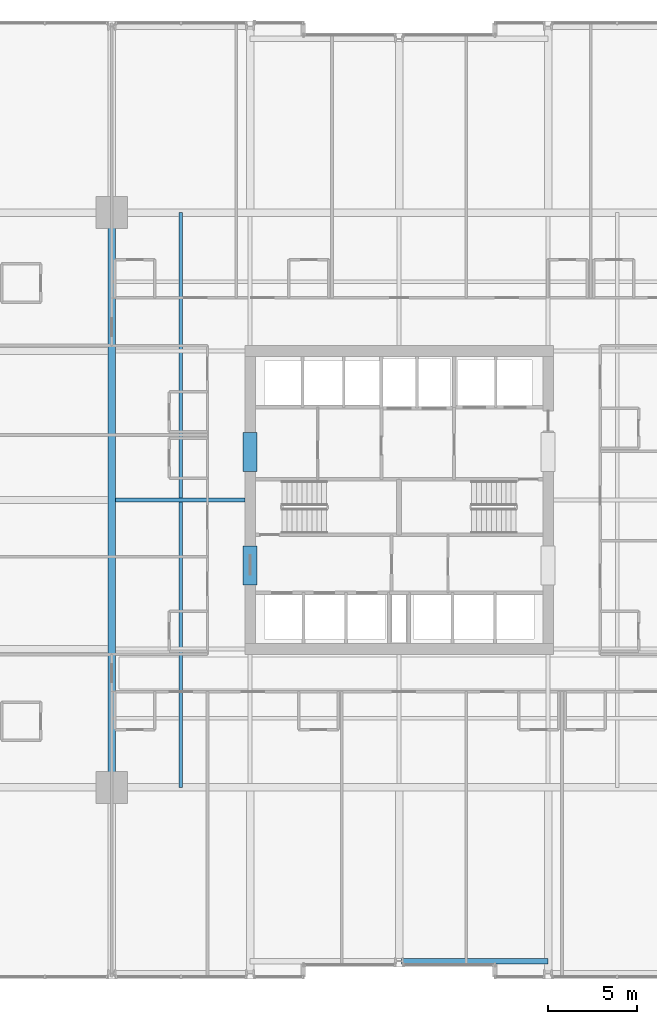
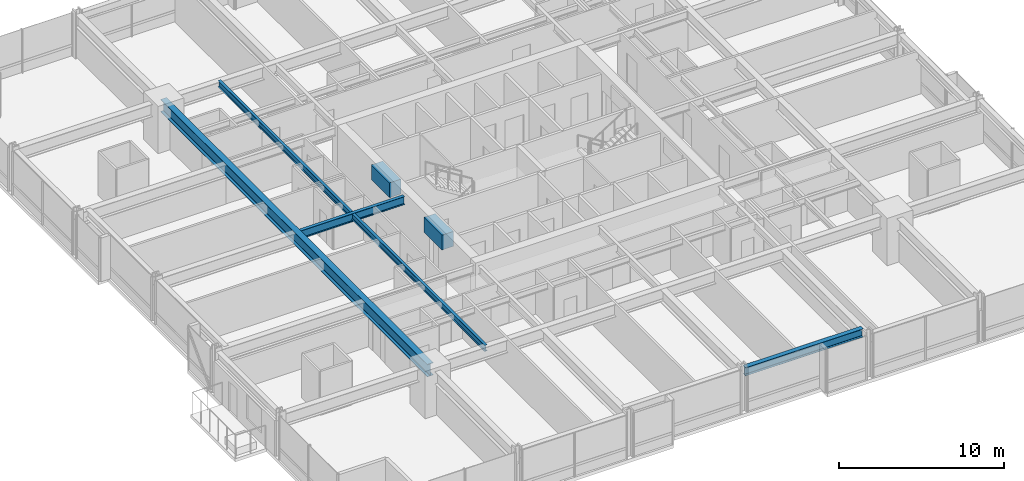
# One storey, part 10 of 39: 6 beams.
"""IFC4 building model written with IfcOpenShell, lengths in metres."""

import ifcopenshell
import ifcopenshell.guid

model = None  # the IFC model being written
_history = None  # IfcOwnerHistory: only IFC2X3 demands one
_inside = {}  # id of a spatial element -> (the spatial element, [elements in it])
_under = {}  # id of a project, library or spatial element -> (it, [spatial elements below it])
_declared = {}  # id of a project -> (the project, [libraries it declares])
_typed = {}  # id of a type object -> (the type object, [elements of that type])
_made_of = {}  # id of a material, layer set ... -> (it, [elements and type objects made of it])


def new_model(schema):
    """Start an empty IFC model of exactly this schema.

    Asked for "IFC4X3", IfcOpenShell would pick the latest addendum, in which some entities
    have other attributes; the version numbers below select the first issue.
    IFC2X3 requires an IfcOwnerHistory on every rooted entity: one is made here for all.
    """
    global model, _history
    if schema == "IFC4X3":
        model = ifcopenshell.file(schema_version=(4, 3, 0, 0))
    else:
        model = ifcopenshell.file(schema=schema)
    _inside.clear()
    _under.clear()
    _declared.clear()
    _typed.clear()
    _made_of.clear()
    _history = None
    if model.schema == "IFC2X3":
        org = make("IfcOrganization", Name="unknown")
        user = make(
            "IfcPersonAndOrganization",
            ThePerson=make("IfcPerson", FamilyName="unknown"),
            TheOrganization=org,
        )
        app = make(
            "IfcApplication",
            ApplicationDeveloper=org,
            Version="unknown",
            ApplicationFullName="unknown",
            ApplicationIdentifier="unknown",
        )
        _history = make(
            "IfcOwnerHistory",
            OwningUser=user,
            OwningApplication=app,
            ChangeAction="ADDED",
            CreationDate=0,
        )
    return model


def make(cls, **values):
    """One entity of the class cls with the attributes given. An attribute that is None is left unset."""
    return model.create_entity(
        cls, **{name: value for name, value in values.items() if value is not None}
    )


def rooted(cls, **values):
    """An entity with a GlobalId (a new one), such as an element, a storey or a relation."""
    return make(cls, GlobalId=ifcopenshell.guid.new(), OwnerHistory=_history, **values)


def si_unit(unit_type, name, prefix=None):
    """IfcSIUnit, for example si_unit("LENGTHUNIT", "METRE", prefix="MILLI")."""
    return make("IfcSIUnit", UnitType=unit_type, Prefix=prefix, Name=name)


def assignment(units):
    """IfcUnitAssignment: the units of a project."""
    return None if units is None else make("IfcUnitAssignment", Units=units)


def point(xyz):
    """IfcCartesianPoint."""
    return None if xyz is None else make("IfcCartesianPoint", Coordinates=xyz)


def direction(xyz):
    """IfcDirection."""
    return None if xyz is None else make("IfcDirection", DirectionRatios=xyz)


def frame(location, z_axis=None, x_axis=None):
    """IfcAxis2Placement3D, a coordinate frame: its origin and axes. An axis left out is left unset."""
    return make(
        "IfcAxis2Placement3D",
        Location=point(location),
        Axis=direction(z_axis),
        RefDirection=direction(x_axis),
    )


def frame_2d(location, x_axis=None):
    """IfcAxis2Placement2D, a coordinate frame in the plane: its origin and x axis."""
    return make(
        "IfcAxis2Placement2D", Location=point(location), RefDirection=direction(x_axis)
    )


def origin():
    """The frame at (0, 0, 0) with its axes left unset."""
    return frame((0.0, 0.0, 0.0))


def origin_2d():
    """The frame at (0, 0) in the plane with its x axis left unset."""
    return frame_2d((0.0, 0.0))


def place(relative_to, where):
    """IfcLocalPlacement: puts the frame where relative to a parent placement (None: the world)."""
    return make(
        "IfcLocalPlacement", PlacementRelTo=relative_to, RelativePlacement=where
    )


def context(
    kind, dimensions, precision=None, world=None, true_north=None, identifier=None
):
    """IfcGeometricRepresentationContext, for example the 3D "Model" context."""
    return make(
        "IfcGeometricRepresentationContext",
        ContextIdentifier=identifier,
        ContextType=kind,
        CoordinateSpaceDimension=dimensions,
        Precision=precision,
        WorldCoordinateSystem=world,
        TrueNorth=true_north,
    )


def subcontext(parent, identifier, kind, view, scale=None):
    """IfcGeometricRepresentationSubContext, for example "Body" below "Model"."""
    return make(
        "IfcGeometricRepresentationSubContext",
        ContextIdentifier=identifier,
        ContextType=kind,
        ParentContext=parent,
        TargetScale=scale,
        TargetView=view,
    )


def project(units=None, contexts=None):
    """IfcProject with its units and contexts."""
    return rooted(
        "IfcProject",
        Name="project",
        RepresentationContexts=contexts,
        UnitsInContext=assignment(units),
    )


def spatial(cls, under=None, at=None, **own):
    """A site, building, storey or space (cls), placed at a placement, below another one or the project."""
    s = rooted(cls, ObjectPlacement=at, **own)
    if under is not None:
        _under.setdefault(under.id(), (under, []))[1].append(s)
    return s


def profile(cls, at=None, kind="AREA", **sizes):
    """A parametric profile (cls). Its sizes go by their IFC names, for example OverallWidth=200.0."""
    return make(cls, ProfileType=kind, Position=at, **sizes)


def rectangle(**sizes):
    """IfcRectangleProfileDef."""
    return profile("IfcRectangleProfileDef", **sizes)


def i_section(**sizes):
    """IfcIShapeProfileDef."""
    return profile("IfcIShapeProfileDef", **sizes)


def extrude(swept, where, along, depth):
    """IfcExtrudedAreaSolid: the profile swept, set in the frame where, extruded along a direction by depth."""
    return make(
        "IfcExtrudedAreaSolid",
        SweptArea=swept,
        Position=where,
        ExtrudedDirection=direction(along),
        Depth=depth,
    )


def shape(context_of_items, identifier, shape_type, items):
    """IfcShapeRepresentation: the items that make up one representation, for example the "Body"."""
    return make(
        "IfcShapeRepresentation",
        ContextOfItems=context_of_items,
        RepresentationIdentifier=identifier,
        RepresentationType=shape_type,
        Items=items,
    )


def material(Name=None, Category=None):
    """IfcMaterial."""
    return make("IfcMaterial", Name=Name, Category=Category)


def material_profile(
    of_material, cross_section, Name=None, Category=None, Priority=None
):
    """IfcMaterialProfile: a cross section and its material."""
    return make(
        "IfcMaterialProfile",
        Name=Name,
        Material=of_material,
        Profile=cross_section,
        Priority=Priority,
        Category=Category,
    )


def profile_set(profiles, Name=None, composite=None):
    """IfcMaterialProfileSet."""
    return make(
        "IfcMaterialProfileSet",
        Name=Name,
        MaterialProfiles=profiles,
        CompositeProfile=composite,
    )


def made_of(thing, what):
    """Note that an element or type object is made of a material, layer set ...; save() writes the relation."""
    if what is not None:
        _made_of.setdefault(what.id(), (what, []))[1].append(thing)
    return thing


def type_object(cls, material=None, **own):
    """A type object (cls), such as IfcWallType, which elements share."""
    return made_of(rooted(cls, **own), material)


def element(
    cls,
    number,
    at=None,
    inside=None,
    cuts=None,
    type_object=None,
    material=None,
    context=None,
    identifier="Body",
    shape_type=None,
    held_by="IfcProductDefinitionShape",
    body=None,
    shapes=None,
    **own,
):
    """One element of the class cls, such as IfcWall. Its Tag is "e" and its number.

    at: its placement. inside: the storey or other place that contains it. cuts: it is an
    opening in that element (IfcRelVoidsElement). A single representation is given by context,
    identifier, shape_type and body (its items); several are given by shapes. held_by: the class
    of the entity that holds the representations. save() writes the other relations.
    """
    e = rooted(cls, Tag="e%d" % number, ObjectPlacement=at, **own)
    if body is not None:
        shapes = [shape(context, identifier, shape_type, body)]
    if shapes is not None:
        e.Representation = make(held_by, Representations=shapes)
    if inside is not None:
        _inside.setdefault(inside.id(), (inside, []))[1].append(e)
    if cuts is not None:
        rooted(
            "IfcRelVoidsElement", RelatingBuildingElement=cuts, RelatedOpeningElement=e
        )
    if type_object is not None:
        _typed.setdefault(type_object.id(), (type_object, []))[1].append(e)
    return made_of(e, material)


def aggregate(whole, parts):
    """IfcRelAggregates: a whole, such as a stair, and the parts it consists of."""
    return rooted("IfcRelAggregates", RelatingObject=whole, RelatedObjects=parts)


def save(model, path):
    """Write the relations noted so far, then the file.

    IfcRelAggregates (storeys below a building ...), IfcRelContainedInSpatialStructure (elements
    in a storey), IfcRelDefinesByType, IfcRelAssociatesMaterial and IfcRelDeclares: one each for
    every whole, place, type object, material and project.
    """
    for whole, parts in _under.values():
        aggregate(whole, parts)
    for where, things in _inside.values():
        rooted(
            "IfcRelContainedInSpatialStructure",
            RelatedElements=things,
            RelatingStructure=where,
        )
    for kind, things in _typed.values():
        rooted("IfcRelDefinesByType", RelatedObjects=things, RelatingType=kind)
    for what, things in _made_of.values():
        rooted("IfcRelAssociatesMaterial", RelatedObjects=things, RelatingMaterial=what)
    for by, libraries in _declared.values():
        rooted("IfcRelDeclares", RelatingContext=by, RelatedDefinitions=libraries)
    model.write(path)


model = new_model("IFC4")

# Units and contexts
model_context = context("Model", 3, precision=1e-05, world=origin(), true_north=direction((0.0, 1.0)))
body_context = subcontext(model_context, "Body", "Model", "MODEL_VIEW")
ifc_project = project(units=[si_unit("LENGTHUNIT", "METRE"), si_unit("AREAUNIT", "SQUARE_METRE"), si_unit("VOLUMEUNIT", "CUBIC_METRE"), si_unit("PLANEANGLEUNIT", "RADIAN"), si_unit("MASSUNIT", "GRAM", prefix="KILO")], contexts=[model_context])

# Site, building, storey
site_placement = place(None, origin())
site = spatial("IfcSite", under=ifc_project, at=site_placement, CompositionType="ELEMENT")
building_placement = place(site_placement, origin())
building = spatial("IfcBuilding", under=site, at=building_placement, Name="Drelvath Grand Hotel", CompositionType="ELEMENT")
storey_placement = place(building_placement, frame((0.0, 0.0, 54.199951171875)))
storey = spatial("IfcBuildingStorey", under=building, at=storey_placement, Name="L12", CompositionType="ELEMENT", Elevation=54.199951171875)

# Beams
ifc_material_1 = material(Name="Steel ASTM A992 Gr 50", Category="steel")
ifc_material_profile_1 = material_profile(ifc_material_1, i_section(OverallWidth=0.19140625, OverallDepth=0.4599609375, WebThickness=0.010009765625, FlangeThickness=0.01611328125, FilletRadius=0.01611328125, at=origin_2d()), Name="W18X55")
ifc_profile_set_1 = profile_set([ifc_material_profile_1], Name="Steel ASTM A992 Gr 50")
beam_type_1 = type_object("IfcBeamType", Name="Composite Floor Joist W18X55", PredefinedType="JOIST", material=ifc_profile_set_1)
beam_1_placement = place(storey_placement, frame((-12.300048828125, 10.800048828125, 3.010009765625), z_axis=(0.0, 1.0, 0.0), x_axis=(-1.0, 0.0, 0.0)))
element("IfcBeam", 1, at=beam_1_placement, inside=storey, type_object=beam_type_1, Name="L12 Wing Floor Joist J3", PredefinedType="JOIST", context=body_context, shape_type="SweptSolid", body=[
    extrude(i_section(OverallWidth=0.19140625, OverallDepth=0.4599609375, WebThickness=0.010009765625, FlangeThickness=0.01611328125, FilletRadius=0.01611328125, at=origin_2d()), origin(), (0.0, 0.0, 1.0), 32.39990234375),
])
ifc_material_2 = material(Name="Concrete f'c 70 MPa", Category="concrete")
ifc_material_profile_2 = material_profile(ifc_material_2, rectangle(XDim=0.800048828125, YDim=1.10009765625, at=origin_2d()), Name="CB800X1100")
ifc_profile_set_2 = profile_set([ifc_material_profile_2], Name="Concrete f'c 70 MPa")
beam_type_2 = type_object("IfcBeamType", Name="Core Coupling Lintel CB800X1100", PredefinedType="LINTEL", material=ifc_profile_set_2)
for number, where, z_axis, x_axis, name in (
    (2, (-8.39990234375, 22.199951171875, 2.68994140625), (0.0, 1.0, 0.0), (-1.0, 0.0, 0.0), "L12 Core Coupling Lintel WS"),
    (3, (-8.39990234375, 28.60009765625, 2.68994140625), (0.0, 1.0, 0.0), (-1.0, 0.0, 0.0), "L12 Core Coupling Lintel WN"),
):
    element("IfcBeam", number, at=place(storey_placement, frame(where, z_axis=z_axis, x_axis=x_axis)), inside=storey, type_object=beam_type_2, Name=name, PredefinedType="LINTEL", context=body_context, shape_type="SweptSolid", body=[
        extrude(rectangle(XDim=0.800048828125, YDim=1.10009765625, at=origin_2d()), origin(), (0.0, 0.0, 1.0), 2.199951171875),
    ])
ifc_material_profile_3 = material_profile(ifc_material_1, i_section(OverallWidth=0.323974609375, OverallDepth=0.611083984375, WebThickness=0.0126953125, FlangeThickness=0.01904296875, FilletRadius=0.02197265625, at=origin_2d()), Name="W24X104")
ifc_profile_set_3 = profile_set([ifc_material_profile_3], Name="Steel ASTM A992 Gr 50")
beam_type_3 = type_object("IfcBeamType", Name="Perimeter Spandrel Beam W24X104", PredefinedType="SPANDREL", material=ifc_profile_set_3)
beam_2_placement = place(storey_placement, frame((0.139892578125, 1.0, 2.9345703125), z_axis=(1.0, 0.0, 0.0), x_axis=(0.0, 1.0, 0.0)))
element("IfcBeam", 4, at=beam_2_placement, inside=storey, type_object=beam_type_3, Name="L12 Spandrel South Mid E", PredefinedType="SPANDREL", context=body_context, shape_type="SweptSolid", body=[
    extrude(i_section(OverallWidth=0.323974609375, OverallDepth=0.611083984375, WebThickness=0.0126953125, FlangeThickness=0.01904296875, FilletRadius=0.02197265625, at=origin_2d()), origin(), (0.0, 0.0, 1.0), 8.260009765625),
])
ifc_material_profile_4 = material_profile(ifc_material_1, i_section(OverallWidth=0.228271484375, OverallDepth=0.607666015625, WebThickness=0.01123046875, FlangeThickness=0.017333984375, FilletRadius=0.02001953125, at=origin_2d()), Name="W24X76")
ifc_profile_set_4 = profile_set([ifc_material_profile_4], Name="Steel ASTM A992 Gr 50")
beam_type_4 = type_object("IfcBeamType", Name="Primary Floor Girder W24X76", PredefinedType="BEAM", material=ifc_profile_set_4)
beam_3_placement = place(storey_placement, frame((-15.99072265625, 27.0, 2.936279296875), z_axis=(1.0, 0.0, 0.0), x_axis=(0.0, 1.0, 0.0)))
element("IfcBeam", 5, at=beam_3_placement, inside=storey, type_object=beam_type_4, Name="L12 West Core Tie E", PredefinedType="BEAM", context=body_context, shape_type="SweptSolid", body=[
    extrude(i_section(OverallWidth=0.228271484375, OverallDepth=0.607666015625, WebThickness=0.01123046875, FlangeThickness=0.017333984375, FilletRadius=0.02001953125, at=origin_2d()), origin(), (0.0, 0.0, 1.0), 7.290771484375),
])
ifc_material_profile_5 = material_profile(ifc_material_1, i_section(OverallWidth=0.418212890625, OverallDepth=0.926513671875, WebThickness=0.019287109375, FlangeThickness=0.031982421875, FilletRadius=0.028076171875, at=origin_2d()), Name="W36X231")
ifc_profile_set_5 = profile_set([ifc_material_profile_5], Name="Steel ASTM A992 Gr 50")
beam_type_5 = type_object("IfcBeamType", Name="Primary Floor Girder W36X231", PredefinedType="BEAM", material=ifc_profile_set_5)
beam_4_placement = place(storey_placement, frame((-16.199951171875, 10.800048828125, 2.77685546875), z_axis=(0.0, 1.0, 0.0), x_axis=(-1.0, 0.0, 0.0)))
element("IfcBeam", 6, at=beam_4_placement, inside=storey, type_object=beam_type_5, Name="L12 Mega Ring Girder West", PredefinedType="BEAM", context=body_context, shape_type="SweptSolid", body=[
    extrude(i_section(OverallWidth=0.418212890625, OverallDepth=0.926513671875, WebThickness=0.019287109375, FlangeThickness=0.031982421875, FilletRadius=0.028076171875, at=origin_2d()), origin(), (0.0, 0.0, 1.0), 32.39990234375),
])

save(model, "model.ifc")
